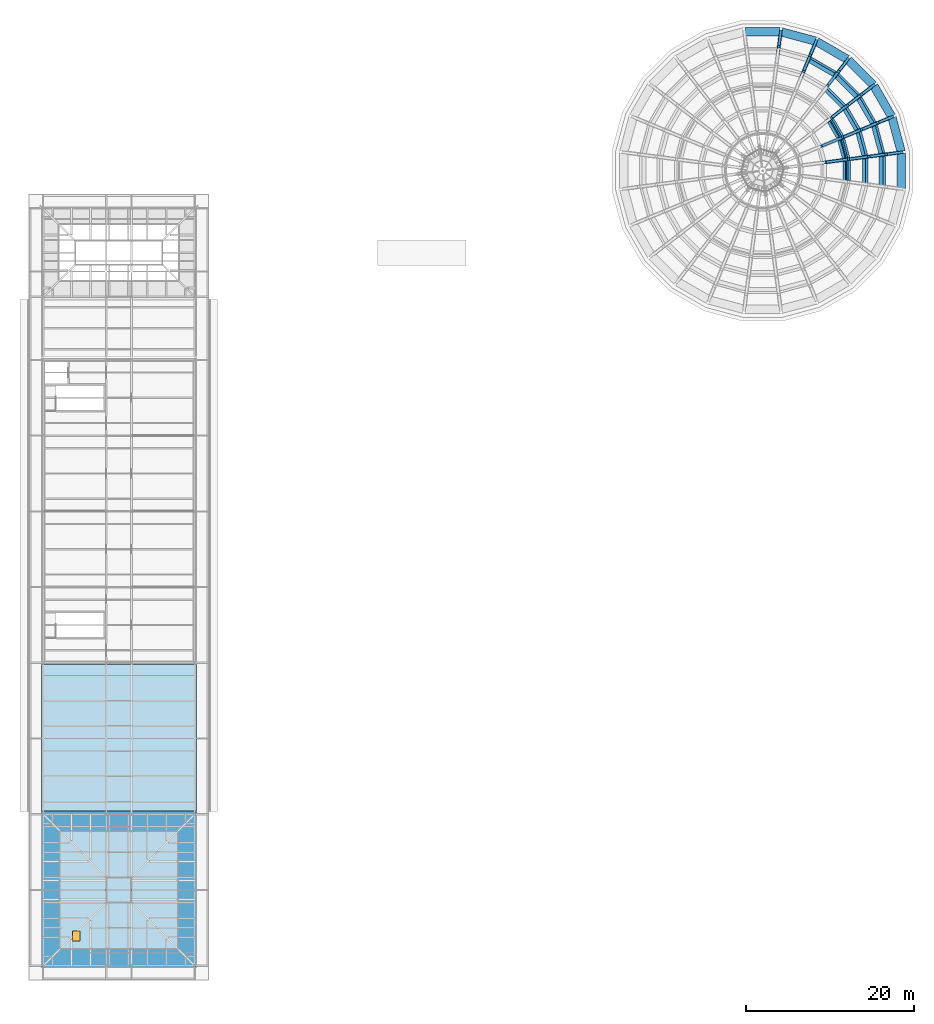
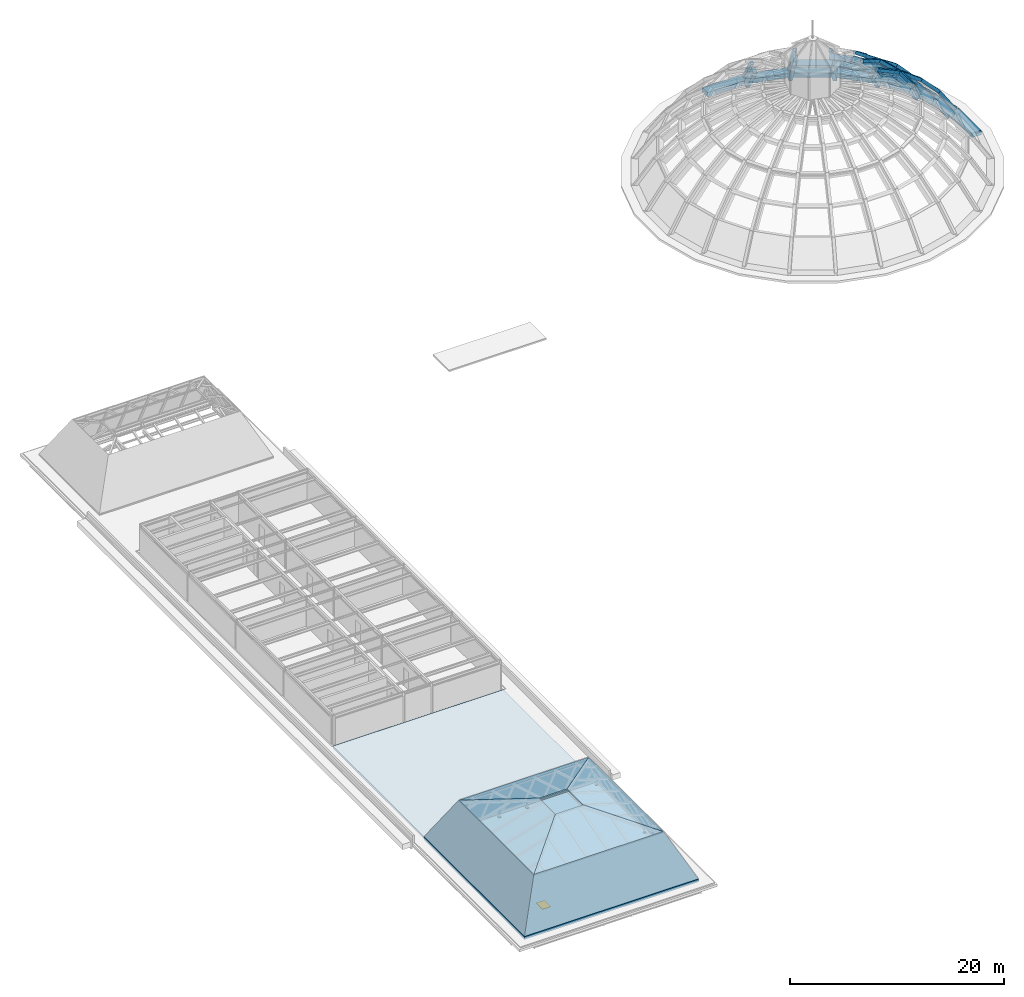
# One storey, part 17 of 29: 30 members, 22 beams, 9 slabs, 1 window, 1 opening.
"""IFC4 building model written with IfcOpenShell, lengths in metres."""

from ifc_helpers import new_model, si_unit, direction, frame, origin, origin_2d, place, context, subcontext, project, spatial, polyline, rectangle, outline, extrude, material, layer, layer_set, material_profile, profile_set, type_object, element, fill, save


model = new_model("IFC4")

# Units and contexts
model_context = context("Model", 3, precision=1e-05, world=origin(), true_north=direction((0.0, 1.0)))
body_context = subcontext(model_context, "Body", "Model", "MODEL_VIEW")
ifc_project = project(units=[si_unit("LENGTHUNIT", "METRE"), si_unit("AREAUNIT", "SQUARE_METRE"), si_unit("VOLUMEUNIT", "CUBIC_METRE"), si_unit("PLANEANGLEUNIT", "RADIAN"), si_unit("MASSUNIT", "GRAM", prefix="KILO")], contexts=[model_context])

# Site, building, storey
site_placement = place(None, origin())
site = spatial("IfcSite", under=ifc_project, at=site_placement, CompositionType="ELEMENT")
building_placement = place(site_placement, origin())
building = spatial("IfcBuilding", under=site, at=building_placement, Name="Golden Quay Civic Hall", CompositionType="ELEMENT")
storey_placement = place(building_placement, frame((0.0, 0.0, 27.0)))
storey = spatial("IfcBuildingStorey", under=building, at=storey_placement, Name="L06", CompositionType="ELEMENT", Elevation=27.0)

# Members
ifc_material_1 = material(Name="Concrete C40/50", Category="concrete")
ifc_material_profile_1 = material_profile(ifc_material_1, rectangle(XDim=0.39990234375, YDim=0.60009765625, at=origin_2d()), Name="RC 400x600")
ifc_profile_set_1 = profile_set([ifc_material_profile_1], Name="Concrete C40/50")
member_type_1 = type_object("IfcMemberType", Name="Reinforced concrete dome meridian rib 400x600", PredefinedType="STRUT", material=ifc_profile_set_1)
member_1_placement = place(storey_placement, frame((101.43408203125, 87.59765625, -0.492919921875), z_axis=(-0.550095894332, -0.072379120587, 0.831958995349), x_axis=(0.130451114281, -0.99145474268, 0.0)))
element("IfcMember", 1, at=member_1_placement, inside=storey, type_object=member_type_1, Name="Dome meridian rib 1.1", PredefinedType="STRUT", context=body_context, shape_type="SweptSolid", body=[
    extrude(rectangle(XDim=0.39990234375, YDim=0.60009765625, at=origin_2d()), origin(), (0.0, 0.0, 1.0), 3.349365234375),
])
member_2_placement = place(storey_placement, frame((99.591552734375, 87.355224609375, 2.293701171875), z_axis=(-0.676536070137, -0.089068005808, 0.731003307889), x_axis=(0.130526685544, -0.991444796426, 0.0)))
element("IfcMember", 2, at=member_2_placement, inside=storey, type_object=member_type_1, Name="Dome meridian rib 1.2", PredefinedType="STRUT", context=body_context, shape_type="SweptSolid", body=[
    extrude(rectangle(XDim=0.39990234375, YDim=0.60009765625, at=origin_2d()), origin(), (0.0, 0.0, 1.0), 2.949462890625),
])
member_3_placement = place(storey_placement, frame((97.59619140625, 87.092529296875, 4.44970703125), z_axis=(-0.785170814657, -0.103392551134, 0.61058723552), x_axis=(0.130554556385, -0.991441126748, 0.0)))
element("IfcMember", 3, at=member_3_placement, inside=storey, type_object=member_type_1, Name="Dome meridian rib 1.3", PredefinedType="STRUT", context=body_context, shape_type="SweptSolid", body=[
    extrude(rectangle(XDim=0.39990234375, YDim=0.60009765625, at=origin_2d()), origin(), (0.0, 0.0, 1.0), 2.94921875),
])
member_4_placement = place(storey_placement, frame((95.280517578125, 86.78759765625, 6.25048828125), z_axis=(-0.87287480647, -0.114893336309, 0.474224728902), x_axis=(0.130500722737, -0.991448214162, 0.0)))
element("IfcMember", 4, at=member_4_placement, inside=storey, type_object=member_type_1, Name="Dome meridian rib 1.4", PredefinedType="STRUT", context=body_context, shape_type="SweptSolid", body=[
    extrude(rectangle(XDim=0.39990234375, YDim=0.60009765625, at=origin_2d()), origin(), (0.0, 0.0, 1.0), 2.949462890625),
])
member_5_placement = place(storey_placement, frame((100.34814453125, 91.650390625, -0.492919921875), z_axis=(-0.512569679577, -0.212331552419, 0.831978146003), x_axis=(0.382711492988, -0.923867908922, 0.0)))
element("IfcMember", 5, at=member_5_placement, inside=storey, type_object=member_type_1, Name="Dome meridian rib 2.1", PredefinedType="STRUT", context=body_context, shape_type="SweptSolid", body=[
    extrude(rectangle(XDim=0.39990234375, YDim=0.60009765625, at=origin_2d()), origin(), (0.0, 0.0, 1.0), 3.349365234375),
])
member_6_placement = place(storey_placement, frame((98.63134765625, 90.939208984375, 2.293701171875), z_axis=(-0.630425469175, -0.26115971051, 0.730998860069), x_axis=(0.382719620554, -0.923864542042, 0.0)))
element("IfcMember", 6, at=member_6_placement, inside=storey, type_object=member_type_1, Name="Dome meridian rib 2.2", PredefinedType="STRUT", context=body_context, shape_type="SweptSolid", body=[
    extrude(rectangle(XDim=0.39990234375, YDim=0.60009765625, at=origin_2d()), origin(), (0.0, 0.0, 1.0), 2.949462890625),
])
member_7_placement = place(storey_placement, frame((96.77197265625, 90.1689453125, 4.44970703125), z_axis=(-0.731680684509, -0.303052719311, 0.610575486926), x_axis=(0.382662584265, -0.923888167801, 0.0)))
element("IfcMember", 7, at=member_7_placement, inside=storey, type_object=member_type_1, Name="Dome meridian rib 2.3", PredefinedType="STRUT", context=body_context, shape_type="SweptSolid", body=[
    extrude(rectangle(XDim=0.39990234375, YDim=0.60009765625, at=origin_2d()), origin(), (0.0, 0.0, 1.0), 2.94921875),
])
member_8_placement = place(storey_placement, frame((98.250244140625, 95.28369140625, -0.492919921875), z_axis=(-0.440119735162, -0.337779869616, 0.831985203236), x_axis=(0.608834168329, -0.793297520149, 0.0)))
element("IfcMember", 8, at=member_8_placement, inside=storey, type_object=member_type_1, Name="Dome meridian rib 3.1", PredefinedType="STRUT", context=body_context, shape_type="SweptSolid", body=[
    extrude(rectangle(XDim=0.39990234375, YDim=0.60009765625, at=origin_2d()), origin(), (0.0, 0.0, 1.0), 3.349365234375),
])
member_9_placement = place(storey_placement, frame((96.776123046875, 94.15234375, 2.293701171875), z_axis=(-0.541368312037, -0.415380151346, 0.731012777309), x_axis=(0.608737109833, -0.793372000459, 0.0)))
element("IfcMember", 9, at=member_9_placement, inside=storey, type_object=member_type_1, Name="Dome meridian rib 3.2", PredefinedType="STRUT", context=body_context, shape_type="SweptSolid", body=[
    extrude(rectangle(XDim=0.39990234375, YDim=0.60009765625, at=origin_2d()), origin(), (0.0, 0.0, 1.0), 2.949462890625),
])
member_10_placement = place(storey_placement, frame((95.179443359375, 92.92724609375, 4.44970703125), z_axis=(-0.628298229719, -0.482109208153, 0.610583365271), x_axis=(0.608760650139, -0.793353937939, 0.0)))
element("IfcMember", 10, at=member_10_placement, inside=storey, type_object=member_type_1, Name="Dome meridian rib 3.3", PredefinedType="STRUT", context=body_context, shape_type="SweptSolid", body=[
    extrude(rectangle(XDim=0.39990234375, YDim=0.60009765625, at=origin_2d()), origin(), (0.0, 0.0, 1.0), 2.94921875),
])
for number, where, z_axis, x_axis, name in (
    (11, (95.28369140625, 98.250244140625, -0.492919921875), (-0.337779869616, -0.440119735162, 0.831985203236), (0.793297520149, -0.608834168329, 0.0), "Dome meridian rib 4.1"),
    (12, (91.650390625, 100.34814453125, -0.492919921875), (-0.212331552419, -0.512569679577, 0.831978146003), (0.923867908922, -0.382711492988, 0.0), "Dome meridian rib 5.1"),
):
    element("IfcMember", number, at=place(storey_placement, frame(where, z_axis=z_axis, x_axis=x_axis)), inside=storey, type_object=member_type_1, Name=name, PredefinedType="STRUT", context=body_context, shape_type="SweptSolid", body=[
        extrude(rectangle(XDim=0.39990234375, YDim=0.60009765625, at=origin_2d()), origin(), (0.0, 0.0, 1.0), 3.349365234375),
    ])
member_11_placement = place(storey_placement, frame((90.939208984375, 98.63134765625, 2.293701171875), z_axis=(-0.26115971051, -0.630425469175, 0.730998860069), x_axis=(0.923864542042, -0.382719620554, 0.0)))
element("IfcMember", 13, at=member_11_placement, inside=storey, type_object=member_type_1, Name="Dome meridian rib 5.2", PredefinedType="STRUT", context=body_context, shape_type="SweptSolid", body=[
    extrude(rectangle(XDim=0.39990234375, YDim=0.60009765625, at=origin_2d()), origin(), (0.0, 0.0, 1.0), 2.949462890625),
])
member_12_placement = place(storey_placement, frame((87.59765625, 101.43408203125, -0.492919921875), z_axis=(-0.072379120587, -0.550095894332, 0.831958995349), x_axis=(0.99145474268, -0.130451114281, 0.0)))
element("IfcMember", 14, at=member_12_placement, inside=storey, type_object=member_type_1, Name="Dome meridian rib 6.1", PredefinedType="STRUT", context=body_context, shape_type="SweptSolid", body=[
    extrude(rectangle(XDim=0.39990234375, YDim=0.60009765625, at=origin_2d()), origin(), (0.0, 0.0, 1.0), 3.349365234375),
])
ifc_material_2 = material(Name="Concrete C40/50", Category="concrete")
ifc_material_profile_2 = material_profile(ifc_material_2, rectangle(XDim=0.300048828125, YDim=0.35009765625, at=origin_2d()), Name="RC 300x350")
ifc_profile_set_2 = profile_set([ifc_material_profile_2], Name="Concrete C40/50")
member_type_2 = type_object("IfcMemberType", Name="Reinforced concrete dome outer rib 300x350", PredefinedType="STRUT", material=ifc_profile_set_2)
member_13_placement = place(storey_placement, frame((102.076904296875, 87.682373046875, -0.01904296875), z_axis=(-0.550122287018, -0.072439628972, 0.831936277296), x_axis=(0.130552155343, -0.991441442918, 0.0)))
element("IfcMember", 15, at=member_13_placement, inside=storey, type_object=member_type_2, Name="Dome outer rib 1.1", PredefinedType="STRUT", context=body_context, shape_type="SweptSolid", body=[
    extrude(rectangle(XDim=0.300048828125, YDim=0.35009765625, at=origin_2d()), origin(), (0.0, 0.0, 1.0), 3.38037109375),
])
for number, where, z_axis, x_axis, name in (
    (16, (100.21728515625, 87.4375, 2.793212890625), (-0.67654387731, -0.089085674566, 0.730993929292), (0.130550656476, -0.991441640286, 0.0), "Dome outer rib 1.2"),
    (17, (98.13330078125, 87.1630859375, 5.044921875), (-0.78511246059, -0.10335015633, 0.610669443655), (0.130511470467, -0.991446799418, 0.0), "Dome outer rib 1.3"),
):
    element("IfcMember", number, at=place(storey_placement, frame(where, z_axis=z_axis, x_axis=x_axis)), inside=storey, type_object=member_type_2, Name=name, PredefinedType="STRUT", context=body_context, shape_type="SweptSolid", body=[
        extrude(rectangle(XDim=0.300048828125, YDim=0.35009765625, at=origin_2d()), origin(), (0.0, 0.0, 1.0), 3.080322265625),
    ])
member_14_placement = place(storey_placement, frame((95.71484375, 86.8447265625, 6.926025390625), z_axis=(-0.872912973044, -0.114929974658, 0.474145592005), x_axis=(0.130536018623, -0.991443567654, 0.0)))
element("IfcMember", 18, at=member_14_placement, inside=storey, type_object=member_type_2, Name="Dome outer rib 1.4", PredefinedType="STRUT", context=body_context, shape_type="SweptSolid", body=[
    extrude(rectangle(XDim=0.300048828125, YDim=0.35009765625, at=origin_2d()), origin(), (0.0, 0.0, 1.0), 3.080078125),
])
member_15_placement = place(storey_placement, frame((100.947021484375, 91.8984375, -0.01904296875), z_axis=(-0.512584648384, -0.212343083873, 0.831965980658), x_axis=(0.382719693499, -0.923864511824, 0.0)))
element("IfcMember", 19, at=member_15_placement, inside=storey, type_object=member_type_2, Name="Dome outer rib 2.1", PredefinedType="STRUT", context=body_context, shape_type="SweptSolid", body=[
    extrude(rectangle(XDim=0.300048828125, YDim=0.35009765625, at=origin_2d()), origin(), (0.0, 0.0, 1.0), 3.38037109375),
])
for number, where, z_axis, x_axis, name in (
    (20, (99.21435546875, 91.1806640625, 2.793212890625), (-0.630422877415, -0.261157075821, 0.731002036509), (0.382717667995, -0.923865350906, 0.0), "Dome outer rib 2.2"),
    (21, (97.2724609375, 90.376220703125, 5.044921875), (-0.731620375695, -0.302999100453, 0.61067435757), (0.382631713297, -0.923900953555, 0.0), "Dome outer rib 2.3"),
    (22, (95.018798828125, 89.44287109375, 6.926025390625), (-0.813437047625, -0.336930808677, 0.474128463304), (0.382677762475, -0.923881881036, 0.0), "Dome outer rib 2.4"),
):
    element("IfcMember", number, at=place(storey_placement, frame(where, z_axis=z_axis, x_axis=x_axis)), inside=storey, type_object=member_type_2, Name=name, PredefinedType="STRUT", context=body_context, shape_type="SweptSolid", body=[
        extrude(rectangle(XDim=0.300048828125, YDim=0.35009765625, at=origin_2d()), origin(), (0.0, 0.0, 1.0), 3.080322265625),
    ])
member_16_placement = place(storey_placement, frame((98.7646484375, 95.678466796875, -0.01904296875), z_axis=(-0.440142253946, -0.337798707205, 0.83196564214), x_axis=(0.608835932152, -0.79329616646, 0.0)))
element("IfcMember", 23, at=member_16_placement, inside=storey, type_object=member_type_2, Name="Dome outer rib 3.1", PredefinedType="STRUT", context=body_context, shape_type="SweptSolid", body=[
    extrude(rectangle(XDim=0.300048828125, YDim=0.35009765625, at=origin_2d()), origin(), (0.0, 0.0, 1.0), 3.38037109375),
])
for number, where, z_axis, x_axis, name in (
    (24, (97.27685546875, 94.53662109375, 2.793212890625), (-0.541402717932, -0.415384518325, 0.730984814447), (0.60871678742, -0.793387592991, 0.0), "Dome outer rib 3.2"),
    (25, (95.609130859375, 93.257080078125, 5.044921875), (-0.628218722093, -0.482062360304, 0.610702151618), (0.608771905455, -0.793345301321, 0.0), "Dome outer rib 3.3"),
):
    element("IfcMember", number, at=place(storey_placement, frame(where, z_axis=z_axis, x_axis=x_axis)), inside=storey, type_object=member_type_2, Name=name, PredefinedType="STRUT", context=body_context, shape_type="SweptSolid", body=[
        extrude(rectangle(XDim=0.300048828125, YDim=0.35009765625, at=origin_2d()), origin(), (0.0, 0.0, 1.0), 3.080322265625),
    ])
member_17_placement = place(storey_placement, frame((95.678466796875, 98.7646484375, -0.01904296875), z_axis=(-0.337798707205, -0.440142253946, 0.83196564214), x_axis=(0.79329616646, -0.608835932152, 0.0)))
element("IfcMember", 26, at=member_17_placement, inside=storey, type_object=member_type_2, Name="Dome outer rib 4.1", PredefinedType="STRUT", context=body_context, shape_type="SweptSolid", body=[
    extrude(rectangle(XDim=0.300048828125, YDim=0.35009765625, at=origin_2d()), origin(), (0.0, 0.0, 1.0), 3.38037109375),
])
member_18_placement = place(storey_placement, frame((94.53662109375, 97.27685546875, 2.793212890625), z_axis=(-0.415384518325, -0.541402717932, 0.730984814447), x_axis=(0.793387592991, -0.60871678742, 0.0)))
element("IfcMember", 27, at=member_18_placement, inside=storey, type_object=member_type_2, Name="Dome outer rib 4.2", PredefinedType="STRUT", context=body_context, shape_type="SweptSolid", body=[
    extrude(rectangle(XDim=0.300048828125, YDim=0.35009765625, at=origin_2d()), origin(), (0.0, 0.0, 1.0), 3.080322265625),
])
member_19_placement = place(storey_placement, frame((91.8984375, 100.947021484375, -0.01904296875), z_axis=(-0.212343083873, -0.512584648384, 0.831965980658), x_axis=(0.923864511824, -0.382719693499, 0.0)))
element("IfcMember", 28, at=member_19_placement, inside=storey, type_object=member_type_2, Name="Dome outer rib 5.1", PredefinedType="STRUT", context=body_context, shape_type="SweptSolid", body=[
    extrude(rectangle(XDim=0.300048828125, YDim=0.35009765625, at=origin_2d()), origin(), (0.0, 0.0, 1.0), 3.38037109375),
])
member_20_placement = place(storey_placement, frame((91.1806640625, 99.21435546875, 2.793212890625), z_axis=(-0.261157075821, -0.630422877415, 0.731002036509), x_axis=(0.923865350906, -0.382717667995, 0.0)))
element("IfcMember", 29, at=member_20_placement, inside=storey, type_object=member_type_2, Name="Dome outer rib 5.2", PredefinedType="STRUT", context=body_context, shape_type="SweptSolid", body=[
    extrude(rectangle(XDim=0.300048828125, YDim=0.35009765625, at=origin_2d()), origin(), (0.0, 0.0, 1.0), 3.080322265625),
])
member_21_placement = place(storey_placement, frame((87.682373046875, 102.076904296875, -0.01904296875), z_axis=(-0.072439628972, -0.550122287018, 0.831936277296), x_axis=(0.991441442918, -0.130552155343, 0.0)))
element("IfcMember", 30, at=member_21_placement, inside=storey, type_object=member_type_2, Name="Dome outer rib 6.1", PredefinedType="STRUT", context=body_context, shape_type="SweptSolid", body=[
    extrude(rectangle(XDim=0.300048828125, YDim=0.35009765625, at=origin_2d()), origin(), (0.0, 0.0, 1.0), 3.38037109375),
])

# Beams
ifc_material_3 = material(Name="Concrete C40/50", Category="concrete")
ifc_material_profile_3 = material_profile(ifc_material_3, rectangle(XDim=0.300048828125, YDim=0.35009765625, at=origin_2d()), Name="RC 300x350")
ifc_profile_set_3 = profile_set([ifc_material_profile_3], Name="Concrete C40/50")
beam_type_1 = type_object("IfcBeamType", Name="Reinforced concrete dome outer ring beam 300x350", PredefinedType="BEAM", material=ifc_profile_set_3)
beam_1_placement = place(storey_placement, frame((95.673095703125, 87.00048828125, 6.926025390625), z_axis=(-0.258760142299, 0.965941607323, 0.0), x_axis=(-0.810376640378, -0.217086802339, 0.544208618988)))
element("IfcBeam", 31, at=beam_1_placement, inside=storey, type_object=beam_type_1, Name="Dome outer ring beam segment 1", PredefinedType="BEAM", context=body_context, shape_type="SweptSolid", body=[
    extrude(rectangle(XDim=0.300048828125, YDim=0.35009765625, at=origin_2d()), origin(), (0.0, 0.0, 1.0), 2.3671875),
])
beam_2_placement = place(storey_placement, frame((94.93798828125, 89.58251953125, 6.926025390625), z_axis=(-0.499966512588, 0.866044736887, 0.0), x_axis=(-0.726568168277, -0.419446868942, 0.544208618988)))
element("IfcBeam", 32, at=beam_2_placement, inside=storey, type_object=beam_type_1, Name="Dome outer ring beam segment 2", PredefinedType="BEAM", context=body_context, shape_type="SweptSolid", body=[
    extrude(rectangle(XDim=0.300048828125, YDim=0.35009765625, at=origin_2d()), origin(), (0.0, 0.0, 1.0), 2.366943359375),
])
beam_3_placement = place(storey_placement, frame((95.71484375, 84.31640625, 6.926025390625), z_axis=(0.0, 1.0, 0.0), x_axis=(-0.838949926408, 0.0, 0.544208618988)))
element("IfcBeam", 33, at=beam_3_placement, inside=storey, type_object=beam_type_1, Name="Dome outer ring beam segment 24", PredefinedType="BEAM", context=body_context, shape_type="SweptSolid", body=[
    extrude(rectangle(XDim=0.300048828125, YDim=0.35009765625, at=origin_2d()), origin(), (0.0, 0.0, 1.0), 2.3671875),
])
ifc_material_4 = material(Name="Concrete C40/50", Category="concrete")
ifc_material_profile_4 = material_profile(ifc_material_4, rectangle(XDim=0.39990234375, YDim=0.60009765625, at=origin_2d()), Name="RC 400x600")
ifc_profile_set_4 = profile_set([ifc_material_profile_4], Name="Concrete C40/50")
beam_type_2 = type_object("IfcBeamType", Name="Reinforced concrete dome ring rib 400x600", PredefinedType="BEAM", material=ifc_profile_set_4)
for number, where, z_axis, x_axis, name in (
    (34, (99.7314453125, 87.37353515625, 2.405517578125), (-0.258781677402, 0.965935838159, 0.0), (-0.599518435201, -0.160615622866, 0.784079248256), "Dome ring rib 1.1"),
    (35, (98.76171875, 90.9931640625, 2.405517578125), (-0.500042033332, 0.866001134469, 0.0), (-0.537492889806, -0.310356449688, 0.784079248256), "Dome ring rib 1.2"),
):
    element("IfcBeam", number, at=place(storey_placement, frame(where, z_axis=z_axis, x_axis=x_axis)), inside=storey, type_object=beam_type_2, Name=name, PredefinedType="BEAM", context=body_context, shape_type="SweptSolid", body=[
        extrude(rectangle(XDim=0.39990234375, YDim=0.60009765625, at=origin_2d()), origin(), (0.0, 0.0, 1.0), 3.747314453125),
    ])
beam_4_placement = place(storey_placement, frame((96.887939453125, 94.23828125, 2.405517578125), z_axis=(-0.707106781187, 0.707106781187, 0.0), x_axis=(-0.438873405696, -0.438873405696, 0.784079248256)))
element("IfcBeam", 36, at=beam_4_placement, inside=storey, type_object=beam_type_2, Name="Dome ring rib 1.3", PredefinedType="BEAM", context=body_context, shape_type="SweptSolid", body=[
    extrude(rectangle(XDim=0.39990234375, YDim=0.60009765625, at=origin_2d()), origin(), (0.0, 0.0, 1.0), 3.7470703125),
])
beam_5_placement = place(storey_placement, frame((94.23828125, 96.887939453125, 2.405517578125), z_axis=(-0.866001134469, 0.500042033332, 0.0), x_axis=(-0.310356449688, -0.537492889806, 0.784079248256)))
element("IfcBeam", 37, at=beam_5_placement, inside=storey, type_object=beam_type_2, Name="Dome ring rib 1.4", PredefinedType="BEAM", context=body_context, shape_type="SweptSolid", body=[
    extrude(rectangle(XDim=0.39990234375, YDim=0.60009765625, at=origin_2d()), origin(), (0.0, 0.0, 1.0), 3.747314453125),
])
beam_6_placement = place(storey_placement, frame((99.7314453125, 83.62646484375, 2.405517578125), z_axis=(0.0, 1.0, 0.0), x_axis=(-0.6206607225, 0.0, 0.784079248256)))
element("IfcBeam", 38, at=beam_6_placement, inside=storey, type_object=beam_type_2, Name="Dome ring rib 1.24", PredefinedType="BEAM", context=body_context, shape_type="SweptSolid", body=[
    extrude(rectangle(XDim=0.39990234375, YDim=0.60009765625, at=origin_2d()), origin(), (0.0, 0.0, 1.0), 3.7470703125),
])
for number, where, z_axis, x_axis, name in (
    (39, (97.71630859375, 87.1083984375, 4.582763671875), (-0.25882460971, 0.96592433524, 0.0), (-0.714392500027, -0.191425304502, 0.673052530418), "Dome ring rib 2.1"),
    (40, (96.8837890625, 90.21533203125, 4.582763671875), (-0.500024672494, 0.866011158645, 0.0), (-0.640497246114, -0.369815587852, 0.673052530418), "Dome ring rib 2.2"),
    (41, (95.275390625, 93.0009765625, 4.582763671875), (-0.707106781187, 0.707106781187, 0.0), (-0.522972413851, -0.522972413851, 0.673052530418), "Dome ring rib 2.3"),
):
    element("IfcBeam", number, at=place(storey_placement, frame(where, z_axis=z_axis, x_axis=x_axis)), inside=storey, type_object=beam_type_2, Name=name, PredefinedType="BEAM", context=body_context, shape_type="SweptSolid", body=[
        extrude(rectangle(XDim=0.39990234375, YDim=0.60009765625, at=origin_2d()), origin(), (0.0, 0.0, 1.0), 3.216552734375),
    ])
beam_7_placement = place(storey_placement, frame((97.71630859375, 83.8916015625, 4.582763671875), z_axis=(0.0, 1.0, 0.0), x_axis=(-0.739594680415, 0.0, 0.673052530418)))
element("IfcBeam", 42, at=beam_7_placement, inside=storey, type_object=beam_type_2, Name="Dome ring rib 2.24", PredefinedType="BEAM", context=body_context, shape_type="SweptSolid", body=[
    extrude(rectangle(XDim=0.39990234375, YDim=0.60009765625, at=origin_2d()), origin(), (0.0, 0.0, 1.0), 3.216796875),
])
beam_8_placement = place(storey_placement, frame((95.377685546875, 86.80029296875, 6.401611328125), z_axis=(-0.258778310437, 0.965936740189, 0.0), x_axis=(-0.810372557096, -0.217102044497, 0.544208618988)))
element("IfcBeam", 43, at=beam_8_placement, inside=storey, type_object=beam_type_2, Name="Dome ring rib 3.1", PredefinedType="BEAM", context=body_context, shape_type="SweptSolid", body=[
    extrude(rectangle(XDim=0.39990234375, YDim=0.60009765625, at=origin_2d()), origin(), (0.0, 0.0, 1.0), 2.60107421875),
])
beam_9_placement = place(storey_placement, frame((94.70458984375, 89.312744140625, 6.401611328125), z_axis=(-0.500025795397, 0.866010510293, 0.0), x_axis=(-0.726539453879, -0.41949660425, 0.544208618988)))
element("IfcBeam", 44, at=beam_9_placement, inside=storey, type_object=beam_type_2, Name="Dome ring rib 3.2", PredefinedType="BEAM", context=body_context, shape_type="SweptSolid", body=[
    extrude(rectangle(XDim=0.39990234375, YDim=0.60009765625, at=origin_2d()), origin(), (0.0, 0.0, 1.0), 2.600830078125),
])
beam_10_placement = place(storey_placement, frame((95.377685546875, 84.19970703125, 6.401611328125), z_axis=(0.0, 1.0, 0.0), x_axis=(-0.838949926408, 0.0, 0.544208618988)))
element("IfcBeam", 45, at=beam_10_placement, inside=storey, type_object=beam_type_2, Name="Dome ring rib 3.24", PredefinedType="BEAM", context=body_context, shape_type="SweptSolid", body=[
    extrude(rectangle(XDim=0.39990234375, YDim=0.60009765625, at=origin_2d()), origin(), (0.0, 0.0, 1.0), 2.6005859375),
])
ifc_material_5 = material(Name="Concrete C40/50", Category="concrete")
ifc_material_profile_5 = material_profile(ifc_material_5, rectangle(XDim=1.0, YDim=0.5, at=origin_2d()), Name="RC 1000x500")
ifc_profile_set_5 = profile_set([ifc_material_profile_5], Name="Concrete C40/50")
beam_type_3 = type_object("IfcBeamType", Name="Reinforced concrete springing ring beam 1000x500", PredefinedType="BEAM", material=ifc_profile_set_5)
for number, where, z_axis, x_axis, name in (
    (46, (101.98291015625, 87.73583984375, -0.25), (-0.258809467323, 0.965928392597, 0.0), (-0.965928392597, -0.258809467323, 0.0), "Dome springing ring segment 1"),
    (47, (100.842529296875, 91.92578125, -0.25), (-0.500003371769, 0.866023457084, 0.0), (-0.866023457084, -0.500003371769, 0.0), "Dome springing ring segment 2"),
    (48, (98.65673828125, 95.677734375, -0.25), (-0.707106781187, 0.707106781187, 0.0), (-0.707106781187, -0.707106781187, 0.0), "Dome springing ring segment 3"),
    (49, (95.57421875, 98.736083984375, -0.25), (-0.866023457084, 0.500003371769, 0.0), (-0.500003371769, -0.866023457084, 0.0), "Dome springing ring segment 4"),
    (50, (91.80517578125, 100.892578125, -0.25), (-0.965928392597, 0.258809467323, 0.0), (-0.258809467323, -0.965928392597, 0.0), "Dome springing ring segment 5"),
    (51, (87.6064453125, 102.0, -0.25), (-1.0, 0.0, 0.0), (0.0, -1.0, 0.0), "Dome springing ring segment 6"),
    (52, (102.0, 83.3935546875, -0.25), (0.0, 1.0, 0.0), (-1.0, 0.0, 0.0), "Dome springing ring segment 24"),
):
    element("IfcBeam", number, at=place(storey_placement, frame(where, z_axis=z_axis, x_axis=x_axis)), inside=storey, type_object=beam_type_3, Name=name, PredefinedType="BEAM", context=body_context, shape_type="SweptSolid", body=[
        extrude(rectangle(XDim=1.0, YDim=0.5, at=origin_2d()), origin(), (0.0, 0.0, 1.0), 4.212890625),
    ])

# Slab, opening, window
ifc_material_6 = material(Name="Concrete C35/45", Category="concrete")
ifc_layer_1 = layer(ifc_material_6, 0.25)
ifc_layer_set_1 = layer_set([ifc_layer_1], Name="Composite roof 250")
slab_type_1 = type_object("IfcSlabType", Name="Composite roof 250", PredefinedType="ROOF", material=ifc_layer_set_1)
slab_1_placement = place(storey_placement, frame((0.0, 0.0, -0.25)))
slab_1 = element("IfcSlab", 53, at=slab_1_placement, inside=storey, type_object=slab_type_1, Name="WO roof", PredefinedType="ROOF", context=body_context, shape_type="SweptSolid", body=[
    extrude(outline(polyline([(18.199951171875, -9.199951171875), (-0.199951171875, -9.199951171875), (-0.199951171875, 26.800048828125), (18.199951171875, 26.800048828125), (18.199951171875, -9.199951171875)]), holes=[polyline([(0.114990234375, -9.110107421875), (0.114990234375, -8.889892578125), (-0.114990234375, -8.889892578125), (-0.114990234375, -9.110107421875), (0.114990234375, -9.110107421875)]), polyline([(-0.114990234375, -0.110107421875), (0.114990234375, -0.110107421875), (0.114990234375, 0.110107421875), (-0.114990234375, 0.110107421875), (-0.114990234375, -0.110107421875)]), polyline([(-0.114990234375, 9.110107421875), (-0.114990234375, 8.889892578125), (0.114990234375, 8.889892578125), (0.114990234375, 9.110107421875), (-0.114990234375, 9.110107421875)]), polyline([(7.614990234375, -8.889892578125), (7.385009765625, -8.889892578125), (7.385009765625, -9.110107421875), (7.614990234375, -9.110107421875), (7.614990234375, -8.889892578125)]), polyline([(7.635009765625, 8.8701171875), (7.635009765625, 9.1298828125), (7.364990234375, 9.1298828125), (7.364990234375, 8.8701171875), (7.635009765625, 8.8701171875)]), polyline([(10.385009765625, -9.110107421875), (10.614990234375, -9.110107421875), (10.614990234375, -8.889892578125), (10.385009765625, -8.889892578125), (10.385009765625, -9.110107421875)]), polyline([(10.364990234375, 9.1298828125), (10.364990234375, 8.8701171875), (10.635009765625, 8.8701171875), (10.635009765625, 9.1298828125), (10.364990234375, 9.1298828125)]), polyline([(18.114990234375, -8.889892578125), (17.885009765625, -8.889892578125), (17.885009765625, -9.110107421875), (18.114990234375, -9.110107421875), (18.114990234375, -8.889892578125)]), polyline([(18.114990234375, -0.110107421875), (18.114990234375, 0.110107421875), (17.885009765625, 0.110107421875), (17.885009765625, -0.110107421875), (18.114990234375, -0.110107421875)]), polyline([(17.885009765625, 8.889892578125), (18.114990234375, 8.889892578125), (18.114990234375, 9.110107421875), (17.885009765625, 9.110107421875), (17.885009765625, 8.889892578125)])]), origin(), (0.0, 0.0, 1.0), 0.25),
])
opening_placement = place(slab_1_placement, frame((3.925048828125, -5.47509765625, 0.0)))
opening = element("IfcOpeningElement", 54, at=opening_placement, cuts=slab_1, Name="Opening WN12", PredefinedType="OPENING", context=body_context, shape_type="SweptSolid", body=[
    extrude(rectangle(XDim=0.89990234375, YDim=1.199951171875, at=origin_2d()), origin(), (0.0, 0.0, 1.0), 0.25),
])
ifc_material_7 = material(Name="Aluminium, insulated", Category="aluminium")
window_type = type_object("IfcWindowType", Name="Roof access hatch 900 x 1200", PartitioningType="SINGLE_PANEL", PredefinedType="SKYLIGHT", material=ifc_material_7)
window_placement = place(opening_placement, frame((0.0, 0.0, 0.199951171875)))
window = element("IfcWindow", 55, at=window_placement, inside=storey, type_object=window_type, Name="Roof access hatch 900 x 1200 L06 1", OverallHeight=1.199951171875, OverallWidth=0.89990234375, PartitioningType="SINGLE_PANEL", PredefinedType="SKYLIGHT", context=body_context, shape_type="SweptSolid", body=[
    extrude(rectangle(XDim=0.89990234375, YDim=1.199951171875, at=origin_2d()), origin(), (0.0, 0.0, 1.0), 0.050048828125),
])
fill(opening, window)

# Slabs
ifc_material_8 = material(Name="Concrete C35/45", Category="concrete")
ifc_layer_2 = layer(ifc_material_8, 0.14990234375)
ifc_layer_set_2 = layer_set([ifc_layer_2], Name="Concrete roof deck 150, Concrete C35/45")
slab_type_2 = type_object("IfcSlabType", Name="Concrete roof deck 150", PredefinedType="ROOF", material=ifc_layer_set_2)
slab_2_placement = place(storey_placement, frame((-0.39990234375, -9.39990234375, 0.248291015625), z_axis=(0.0, -0.894436289399, 0.44719539824), x_axis=(1.0, 0.0, 0.0)))
element("IfcSlab", 56, at=slab_2_placement, inside=storey, type_object=slab_type_2, Name="Roof deck WO-S south lower", PredefinedType="ROOF", context=body_context, shape_type="SweptSolid", body=[
    extrude(outline(polyline([(0.0, 0.0), (18.7998046875, 0.0), (16.39990234375, 5.3665631471101625), (2.39990234375, 5.3665631471101625), (0.0, 0.0)])), origin(), (0.0, -0.894436289399, -0.44719539824), 0.33544921875),
])
for number, where, z_axis, x_axis, name in (
    (57, (-0.39990234375, 9.39990234375, 0.248291015625), (0.0, 0.894436289399, 0.44719539824), (1.0, 0.0, 0.0), "Roof deck WO-S north lower"),
    (58, (-0.39990234375, -9.39990234375, 0.248291015625), (-0.894436289399, 0.0, 0.44719539824), (0.0, 1.0, 0.0), "Roof deck WO-S west lower"),
):
    element("IfcSlab", number, at=place(storey_placement, frame(where, z_axis=z_axis, x_axis=x_axis)), inside=storey, type_object=slab_type_2, Name=name, PredefinedType="ROOF", context=body_context, shape_type="SweptSolid", body=[
        extrude(outline(polyline([(0.0, 0.0), (18.7998046875, 0.0), (16.39990234375, -5.3665631471101625), (2.39990234375, -5.3665631471101625), (0.0, 0.0)])), origin(), (0.0, 0.894436289399, -0.44719539824), 0.33544921875),
    ])
slab_3_placement = place(storey_placement, frame((18.39990234375, -9.39990234375, 0.248291015625), z_axis=(0.894436289399, 0.0, 0.44719539824), x_axis=(0.0, 1.0, 0.0)))
element("IfcSlab", 59, at=slab_3_placement, inside=storey, type_object=slab_type_2, Name="Roof deck WO-S east lower", PredefinedType="ROOF", context=body_context, shape_type="SweptSolid", body=[
    extrude(outline(polyline([(0.0, 0.0), (18.7998046875, 0.0), (16.39990234375, 5.3665631471101625), (2.39990234375, 5.3665631471101625), (0.0, 0.0)])), origin(), (0.0, -0.894436289399, -0.44719539824), 0.33544921875),
])
slab_4_placement = place(storey_placement, frame((2.0, -7.0, 5.04833984375), z_axis=(0.0, -0.287332282829, 0.957830965904), x_axis=(1.0, 0.0, 0.0)))
element("IfcSlab", 60, at=slab_4_placement, inside=storey, type_object=slab_type_2, Name="Roof deck WO-S south upper", PredefinedType="ROOF", context=body_context, shape_type="SweptSolid", body=[
    extrude(outline(polyline([(0.0, 0.0), (14.0, 0.0), (8.5, 5.742140519345703), (5.5, 5.742140519345703), (0.0, 0.0)])), origin(), (0.0, -0.287332282829, -0.957830965904), 0.156494140625),
])
for number, where, z_axis, x_axis, name in (
    (61, (2.0, 7.0, 5.04833984375), (0.0, 0.287332282829, 0.957830965904), (1.0, 0.0, 0.0), "Roof deck WO-S north upper"),
    (62, (2.0, -7.0, 5.04833984375), (-0.287332282829, 0.0, 0.957830965904), (0.0, 1.0, 0.0), "Roof deck WO-S west upper"),
):
    element("IfcSlab", number, at=place(storey_placement, frame(where, z_axis=z_axis, x_axis=x_axis)), inside=storey, type_object=slab_type_2, Name=name, PredefinedType="ROOF", context=body_context, shape_type="SweptSolid", body=[
        extrude(outline(polyline([(0.0, 0.0), (14.0, 0.0), (8.5, -5.742140519345703), (5.5, -5.742140519345703), (0.0, 0.0)])), origin(), (0.0, 0.287332282829, -0.957830965904), 0.156494140625),
    ])
slab_5_placement = place(storey_placement, frame((16.0, -7.0, 5.04833984375), z_axis=(0.287332282829, 0.0, 0.957830965904), x_axis=(0.0, 1.0, 0.0)))
element("IfcSlab", 63, at=slab_5_placement, inside=storey, type_object=slab_type_2, Name="Roof deck WO-S east upper", PredefinedType="ROOF", context=body_context, shape_type="SweptSolid", body=[
    extrude(outline(polyline([(0.0, 0.0), (14.0, 0.0), (8.5, 5.742140519345703), (5.5, 5.742140519345703), (0.0, 0.0)])), origin(), (0.0, -0.287332282829, -0.957830965904), 0.156494140625),
])

save(model, "model.ifc")
